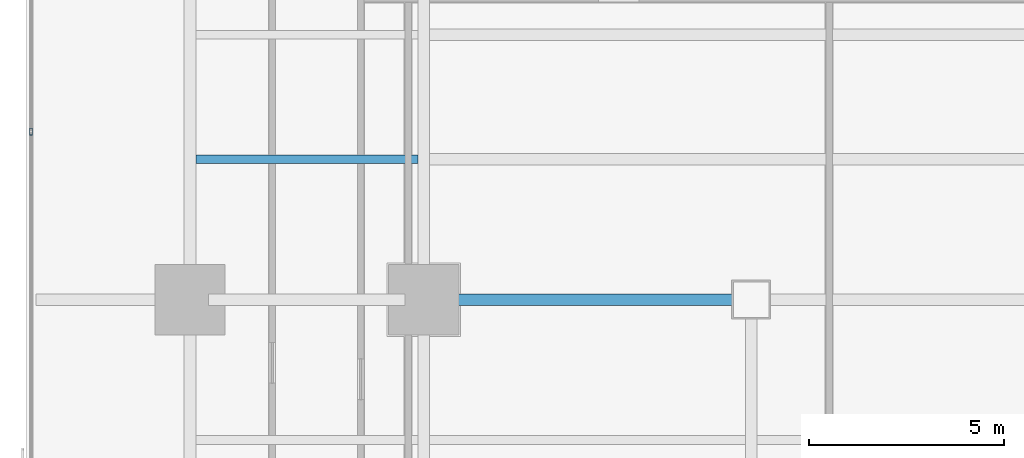
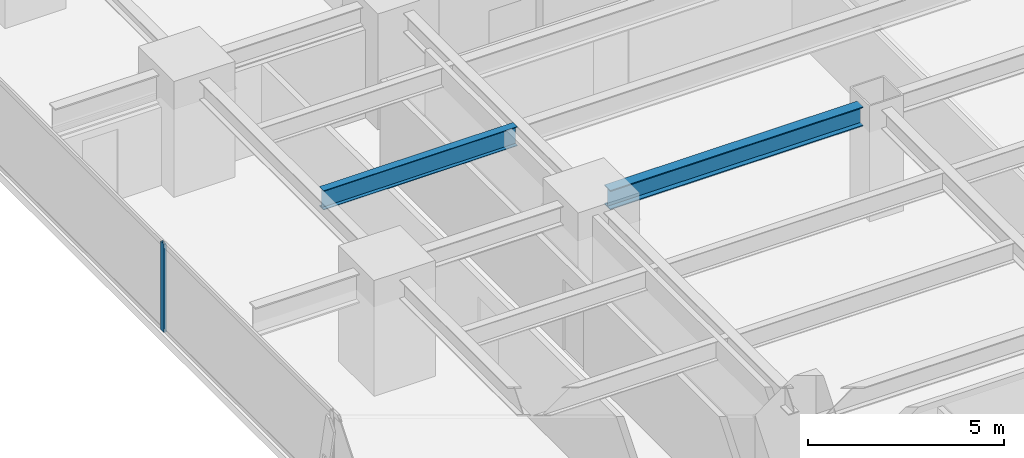
# One storey, part 9 of 33: 2 beams, 1 member, 1 element without a shape of its own.
"""IFC4 building model written with IfcOpenShell, lengths in metres."""

import ifcopenshell
import ifcopenshell.guid

model = None  # the IFC model being written
_history = None  # IfcOwnerHistory: only IFC2X3 demands one
_inside = {}  # id of a spatial element -> (the spatial element, [elements in it])
_under = {}  # id of a project, library or spatial element -> (it, [spatial elements below it])
_declared = {}  # id of a project -> (the project, [libraries it declares])
_typed = {}  # id of a type object -> (the type object, [elements of that type])
_made_of = {}  # id of a material, layer set ... -> (it, [elements and type objects made of it])


def new_model(schema):
    """Start an empty IFC model of exactly this schema.

    Asked for "IFC4X3", IfcOpenShell would pick the latest addendum, in which some entities
    have other attributes; the version numbers below select the first issue.
    IFC2X3 requires an IfcOwnerHistory on every rooted entity: one is made here for all.
    """
    global model, _history
    if schema == "IFC4X3":
        model = ifcopenshell.file(schema_version=(4, 3, 0, 0))
    else:
        model = ifcopenshell.file(schema=schema)
    _inside.clear()
    _under.clear()
    _declared.clear()
    _typed.clear()
    _made_of.clear()
    _history = None
    if model.schema == "IFC2X3":
        org = make("IfcOrganization", Name="unknown")
        user = make(
            "IfcPersonAndOrganization",
            ThePerson=make("IfcPerson", FamilyName="unknown"),
            TheOrganization=org,
        )
        app = make(
            "IfcApplication",
            ApplicationDeveloper=org,
            Version="unknown",
            ApplicationFullName="unknown",
            ApplicationIdentifier="unknown",
        )
        _history = make(
            "IfcOwnerHistory",
            OwningUser=user,
            OwningApplication=app,
            ChangeAction="ADDED",
            CreationDate=0,
        )
    return model


def make(cls, **values):
    """One entity of the class cls with the attributes given. An attribute that is None is left unset."""
    return model.create_entity(
        cls, **{name: value for name, value in values.items() if value is not None}
    )


def rooted(cls, **values):
    """An entity with a GlobalId (a new one), such as an element, a storey or a relation."""
    return make(cls, GlobalId=ifcopenshell.guid.new(), OwnerHistory=_history, **values)


def si_unit(unit_type, name, prefix=None):
    """IfcSIUnit, for example si_unit("LENGTHUNIT", "METRE", prefix="MILLI")."""
    return make("IfcSIUnit", UnitType=unit_type, Prefix=prefix, Name=name)


def assignment(units):
    """IfcUnitAssignment: the units of a project."""
    return None if units is None else make("IfcUnitAssignment", Units=units)


def point(xyz):
    """IfcCartesianPoint."""
    return None if xyz is None else make("IfcCartesianPoint", Coordinates=xyz)


def direction(xyz):
    """IfcDirection."""
    return None if xyz is None else make("IfcDirection", DirectionRatios=xyz)


def frame(location, z_axis=None, x_axis=None):
    """IfcAxis2Placement3D, a coordinate frame: its origin and axes. An axis left out is left unset."""
    return make(
        "IfcAxis2Placement3D",
        Location=point(location),
        Axis=direction(z_axis),
        RefDirection=direction(x_axis),
    )


def frame_2d(location, x_axis=None):
    """IfcAxis2Placement2D, a coordinate frame in the plane: its origin and x axis."""
    return make(
        "IfcAxis2Placement2D", Location=point(location), RefDirection=direction(x_axis)
    )


def origin():
    """The frame at (0, 0, 0) with its axes left unset."""
    return frame((0.0, 0.0, 0.0))


def origin_2d():
    """The frame at (0, 0) in the plane with its x axis left unset."""
    return frame_2d((0.0, 0.0))


def place(relative_to, where):
    """IfcLocalPlacement: puts the frame where relative to a parent placement (None: the world)."""
    return make(
        "IfcLocalPlacement", PlacementRelTo=relative_to, RelativePlacement=where
    )


def context(
    kind, dimensions, precision=None, world=None, true_north=None, identifier=None
):
    """IfcGeometricRepresentationContext, for example the 3D "Model" context."""
    return make(
        "IfcGeometricRepresentationContext",
        ContextIdentifier=identifier,
        ContextType=kind,
        CoordinateSpaceDimension=dimensions,
        Precision=precision,
        WorldCoordinateSystem=world,
        TrueNorth=true_north,
    )


def subcontext(parent, identifier, kind, view, scale=None):
    """IfcGeometricRepresentationSubContext, for example "Body" below "Model"."""
    return make(
        "IfcGeometricRepresentationSubContext",
        ContextIdentifier=identifier,
        ContextType=kind,
        ParentContext=parent,
        TargetScale=scale,
        TargetView=view,
    )


def project(units=None, contexts=None):
    """IfcProject with its units and contexts."""
    return rooted(
        "IfcProject",
        Name="project",
        RepresentationContexts=contexts,
        UnitsInContext=assignment(units),
    )


def spatial(cls, under=None, at=None, **own):
    """A site, building, storey or space (cls), placed at a placement, below another one or the project."""
    s = rooted(cls, ObjectPlacement=at, **own)
    if under is not None:
        _under.setdefault(under.id(), (under, []))[1].append(s)
    return s


def profile(cls, at=None, kind="AREA", **sizes):
    """A parametric profile (cls). Its sizes go by their IFC names, for example OverallWidth=200.0."""
    return make(cls, ProfileType=kind, Position=at, **sizes)


def hollow_rectangle(**sizes):
    """IfcRectangleHollowProfileDef."""
    return profile("IfcRectangleHollowProfileDef", **sizes)


def i_section(**sizes):
    """IfcIShapeProfileDef."""
    return profile("IfcIShapeProfileDef", **sizes)


def extrude(swept, where, along, depth):
    """IfcExtrudedAreaSolid: the profile swept, set in the frame where, extruded along a direction by depth."""
    return make(
        "IfcExtrudedAreaSolid",
        SweptArea=swept,
        Position=where,
        ExtrudedDirection=direction(along),
        Depth=depth,
    )


def shape(context_of_items, identifier, shape_type, items):
    """IfcShapeRepresentation: the items that make up one representation, for example the "Body"."""
    return make(
        "IfcShapeRepresentation",
        ContextOfItems=context_of_items,
        RepresentationIdentifier=identifier,
        RepresentationType=shape_type,
        Items=items,
    )


def source(mapping_origin, context_of_items, identifier, shape_type, items):
    """IfcRepresentationMap: a shape defined once, which mapped items show again and again."""
    return make(
        "IfcRepresentationMap",
        MappingOrigin=mapping_origin,
        MappedRepresentation=shape(context_of_items, identifier, shape_type, items),
    )


def transform(
    local_origin,
    x_axis=None,
    y_axis=None,
    z_axis=None,
    scale=None,
    scale2=None,
    scale3=None,
    uniform=True,
):
    """IfcCartesianTransformationOperator3D, or its non-uniform kind. x_axis, y_axis, z_axis: its Axis1, 2, 3."""
    if uniform:
        return make(
            "IfcCartesianTransformationOperator3D",
            Axis1=direction(x_axis),
            Axis2=direction(y_axis),
            LocalOrigin=point(local_origin),
            Scale=scale,
            Axis3=direction(z_axis),
        )
    return make(
        "IfcCartesianTransformationOperator3DnonUniform",
        Axis1=direction(x_axis),
        Axis2=direction(y_axis),
        LocalOrigin=point(local_origin),
        Scale=scale,
        Axis3=direction(z_axis),
        Scale2=scale2,
        Scale3=scale3,
    )


def mapped(mapping_source, mapping_target):
    """IfcMappedItem: shows the shape of a source again, moved by a transform."""
    return make(
        "IfcMappedItem", MappingSource=mapping_source, MappingTarget=mapping_target
    )


def material(Name=None, Category=None):
    """IfcMaterial."""
    return make("IfcMaterial", Name=Name, Category=Category)


def layer(
    of_material, thickness, ventilated=None, Name=None, Category=None, Priority=None
):
    """IfcMaterialLayer: one layer of a wall or slab, of a material (None: an air gap)."""
    return make(
        "IfcMaterialLayer",
        Material=of_material,
        LayerThickness=thickness,
        IsVentilated=ventilated,
        Name=Name,
        Category=Category,
        Priority=Priority,
    )


def layer_set(layers, Name=None):
    """IfcMaterialLayerSet."""
    return make("IfcMaterialLayerSet", MaterialLayers=layers, LayerSetName=Name)


def material_profile(
    of_material, cross_section, Name=None, Category=None, Priority=None
):
    """IfcMaterialProfile: a cross section and its material."""
    return make(
        "IfcMaterialProfile",
        Name=Name,
        Material=of_material,
        Profile=cross_section,
        Priority=Priority,
        Category=Category,
    )


def profile_set(profiles, Name=None, composite=None):
    """IfcMaterialProfileSet."""
    return make(
        "IfcMaterialProfileSet",
        Name=Name,
        MaterialProfiles=profiles,
        CompositeProfile=composite,
    )


def made_of(thing, what):
    """Note that an element or type object is made of a material, layer set ...; save() writes the relation."""
    if what is not None:
        _made_of.setdefault(what.id(), (what, []))[1].append(thing)
    return thing


def type_object(cls, material=None, **own):
    """A type object (cls), such as IfcWallType, which elements share."""
    return made_of(rooted(cls, **own), material)


def element(
    cls,
    number,
    at=None,
    inside=None,
    cuts=None,
    type_object=None,
    material=None,
    context=None,
    identifier="Body",
    shape_type=None,
    held_by="IfcProductDefinitionShape",
    body=None,
    shapes=None,
    **own,
):
    """One element of the class cls, such as IfcWall. Its Tag is "e" and its number.

    at: its placement. inside: the storey or other place that contains it. cuts: it is an
    opening in that element (IfcRelVoidsElement). A single representation is given by context,
    identifier, shape_type and body (its items); several are given by shapes. held_by: the class
    of the entity that holds the representations. save() writes the other relations.
    """
    e = rooted(cls, Tag="e%d" % number, ObjectPlacement=at, **own)
    if body is not None:
        shapes = [shape(context, identifier, shape_type, body)]
    if shapes is not None:
        e.Representation = make(held_by, Representations=shapes)
    if inside is not None:
        _inside.setdefault(inside.id(), (inside, []))[1].append(e)
    if cuts is not None:
        rooted(
            "IfcRelVoidsElement", RelatingBuildingElement=cuts, RelatedOpeningElement=e
        )
    if type_object is not None:
        _typed.setdefault(type_object.id(), (type_object, []))[1].append(e)
    return made_of(e, material)


def aggregate(whole, parts):
    """IfcRelAggregates: a whole, such as a stair, and the parts it consists of."""
    return rooted("IfcRelAggregates", RelatingObject=whole, RelatedObjects=parts)


def save(model, path):
    """Write the relations noted so far, then the file.

    IfcRelAggregates (storeys below a building ...), IfcRelContainedInSpatialStructure (elements
    in a storey), IfcRelDefinesByType, IfcRelAssociatesMaterial and IfcRelDeclares: one each for
    every whole, place, type object, material and project.
    """
    for whole, parts in _under.values():
        aggregate(whole, parts)
    for where, things in _inside.values():
        rooted(
            "IfcRelContainedInSpatialStructure",
            RelatedElements=things,
            RelatingStructure=where,
        )
    for kind, things in _typed.values():
        rooted("IfcRelDefinesByType", RelatedObjects=things, RelatingType=kind)
    for what, things in _made_of.values():
        rooted("IfcRelAssociatesMaterial", RelatedObjects=things, RelatingMaterial=what)
    for by, libraries in _declared.values():
        rooted("IfcRelDeclares", RelatingContext=by, RelatedDefinitions=libraries)
    model.write(path)


model = new_model("IFC4")

# Units and contexts
model_context = context("Model", 3, precision=1e-05, world=origin(), true_north=direction((0.0, 1.0)))
body_context = subcontext(model_context, "Body", "Model", "MODEL_VIEW")
ifc_project = project(units=[si_unit("LENGTHUNIT", "METRE"), si_unit("AREAUNIT", "SQUARE_METRE"), si_unit("VOLUMEUNIT", "CUBIC_METRE"), si_unit("PLANEANGLEUNIT", "RADIAN"), si_unit("MASSUNIT", "GRAM", prefix="KILO")], contexts=[model_context])

# Site, building, storey
site_placement = place(None, origin())
site = spatial("IfcSite", under=ifc_project, at=site_placement, CompositionType="ELEMENT")
building_placement = place(site_placement, origin())
building = spatial("IfcBuilding", under=site, at=building_placement, Name="Sumidabori Civic Tower", CompositionType="ELEMENT")
storey_placement = place(building_placement, frame((0.0, 0.0, 59.60009765625)))
storey = spatial("IfcBuildingStorey", under=building, at=storey_placement, Name="L15", CompositionType="ELEMENT", Elevation=59.60009765625)

# Beams
ifc_material_1 = material(Name="Steel SN490", Category="steel")
ifc_material_profile_1 = material_profile(ifc_material_1, i_section(OverallWidth=0.300048828125, OverallDepth=0.60009765625, WebThickness=0.015380859375, FlangeThickness=0.030029296875, at=origin_2d()), Name="HE 600 B")
ifc_profile_set_1 = profile_set([ifc_material_profile_1], Name="Steel SN490")
beam_type_1 = type_object("IfcBeamType", Name="BM-GIRD-600", PredefinedType="BEAM", material=ifc_profile_set_1)
shared_shape_1 = source(origin(), body_context, "Body", "SweptSolid", [
    extrude(i_section(OverallWidth=0.300048828125, OverallDepth=0.60009765625, WebThickness=0.015380859375, FlangeThickness=0.030029296875, at=origin_2d()), origin(), (0.0, 0.0, 1.0), 7.440185546875),
])
beam_1_placement = place(storey_placement, frame((-16.320068359375, 0.0, 3.059814453125), z_axis=(1.0, 0.0, 0.0), x_axis=(0.0, 1.0, 0.0)))
element("IfcBeam", 1, at=beam_1_placement, inside=storey, type_object=beam_type_1, Name="Primary Girder L15 GX-14", PredefinedType="BEAM", context=body_context, shape_type="MappedRepresentation", body=[
    mapped(shared_shape_1, transform((0.0, 0.0, 0.0), x_axis=(1.0, 0.0, 0.0), y_axis=(0.0, 1.0, 0.0), z_axis=(0.0, 0.0, 1.0), scale=1.0)),
])
ifc_material_profile_2 = material_profile(ifc_material_1, i_section(OverallWidth=0.219970703125, OverallDepth=0.60009765625, WebThickness=0.011962890625, FlangeThickness=0.01904296875, at=origin_2d()), Name="IPE 600")
ifc_profile_set_2 = profile_set([ifc_material_profile_2], Name="Steel SN490")
beam_type_2 = type_object("IfcBeamType", Name="BM-JST-600", PredefinedType="JOIST", material=ifc_profile_set_2)
shared_shape_2 = source(origin(), body_context, "Body", "SweptSolid", [
    extrude(i_section(OverallWidth=0.219970703125, OverallDepth=0.60009765625, WebThickness=0.011962890625, FlangeThickness=0.01904296875, at=origin_2d()), origin(), (0.0, 0.0, 1.0), 5.699951171875),
])
beam_2_placement = place(storey_placement, frame((-22.64990234375, 3.60009765625, 3.059814453125), z_axis=(1.0, 0.0, 0.0), x_axis=(0.0, 1.0, 0.0)))
element("IfcBeam", 2, at=beam_2_placement, inside=storey, type_object=beam_type_2, Name="Outer Bay Floor Joist L15 JSTO-53", PredefinedType="JOIST", context=body_context, shape_type="MappedRepresentation", body=[
    mapped(shared_shape_2, transform((0.0, 0.0, 0.0), x_axis=(1.0, 0.0, 0.0), y_axis=(0.0, 1.0, 0.0), z_axis=(0.0, 0.0, 1.0), scale=1.0)),
])

# Curtain wall, member
ifc_material_2 = material(Name="Anodised Bronze Aluminium AW-6063-T6", Category="aluminium")
ifc_layer = layer(ifc_material_2, 0.179931640625, Name="Anodised Bronze Aluminium AW-6063-T6")
ifc_layer_set = layer_set([ifc_layer], Name="Anodised Bronze Aluminium AW-6063-T6")
curtain_wall_type = type_object("IfcCurtainWallType", Name="CW-SYS-2", PredefinedType="NOTDEFINED", material=ifc_layer_set)
curtain_wall_placement = place(storey_placement, origin())
curtain_wall = element("IfcCurtainWall", 3, at=curtain_wall_placement, inside=storey, type_object=curtain_wall_type, Name="Curtain Wall CW:L15:R10", PredefinedType="NOTDEFINED")
ifc_material_profile_3 = material_profile(ifc_material_2, hollow_rectangle(XDim=0.070068359375, YDim=0.179931640625, WallThickness=0.006103515625, at=origin_2d()), Name="ALU MULLION 180x70")
ifc_profile_set_3 = profile_set([ifc_material_profile_3], Name="Anodised Bronze Aluminium AW-6063-T6")
member_type = type_object("IfcMemberType", Name="CW-MUL-180", PredefinedType="MULLION", material=ifc_profile_set_3)
shared_shape_3 = source(origin(), body_context, "Body", "SweptSolid", [
    extrude(hollow_rectangle(XDim=0.070068359375, YDim=0.179931640625, WallThickness=0.006103515625, at=origin_2d()), origin(), (0.0, 0.0, 1.0), 2.739990234375),
])
member_placement = place(storey_placement, frame((-26.8798828125, 4.31396484375, 0.0), z_axis=(0.0, 0.0, 1.0), x_axis=(1.0, 0.0, 0.0)))
member = element("IfcMember", 4, at=member_placement, type_object=member_type, Name="CW-2 mullion 3", PredefinedType="MULLION", context=body_context, shape_type="MappedRepresentation", body=[
    mapped(shared_shape_3, transform((0.0, 0.0, 0.0), x_axis=(1.0, 0.0, 0.0), y_axis=(0.0, 1.0, 0.0), z_axis=(0.0, 0.0, 1.0), scale=1.0)),
])
aggregate(curtain_wall, [member])

save(model, "model.ifc")
